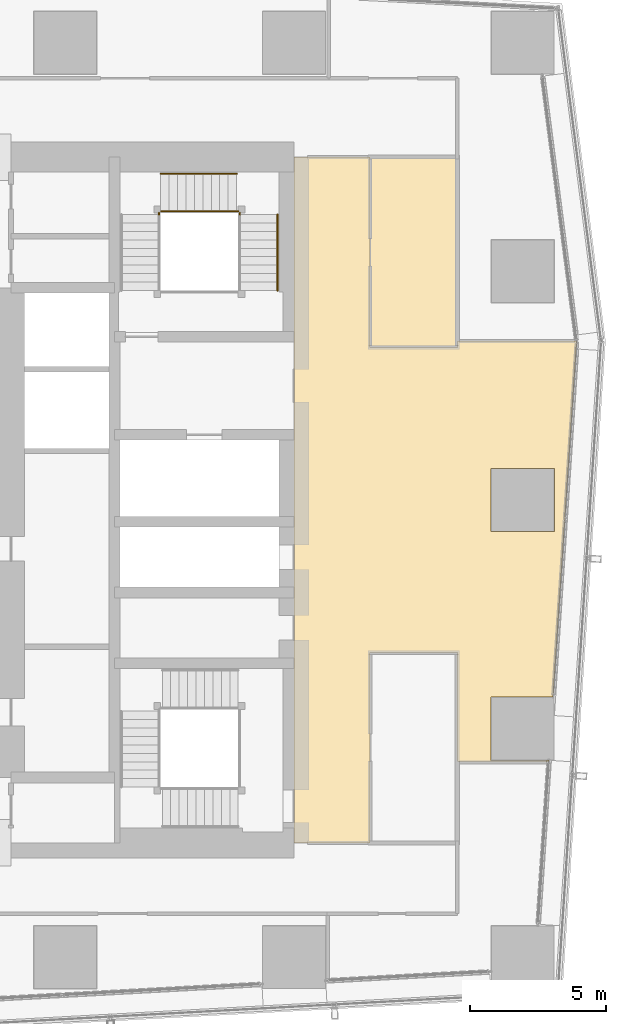
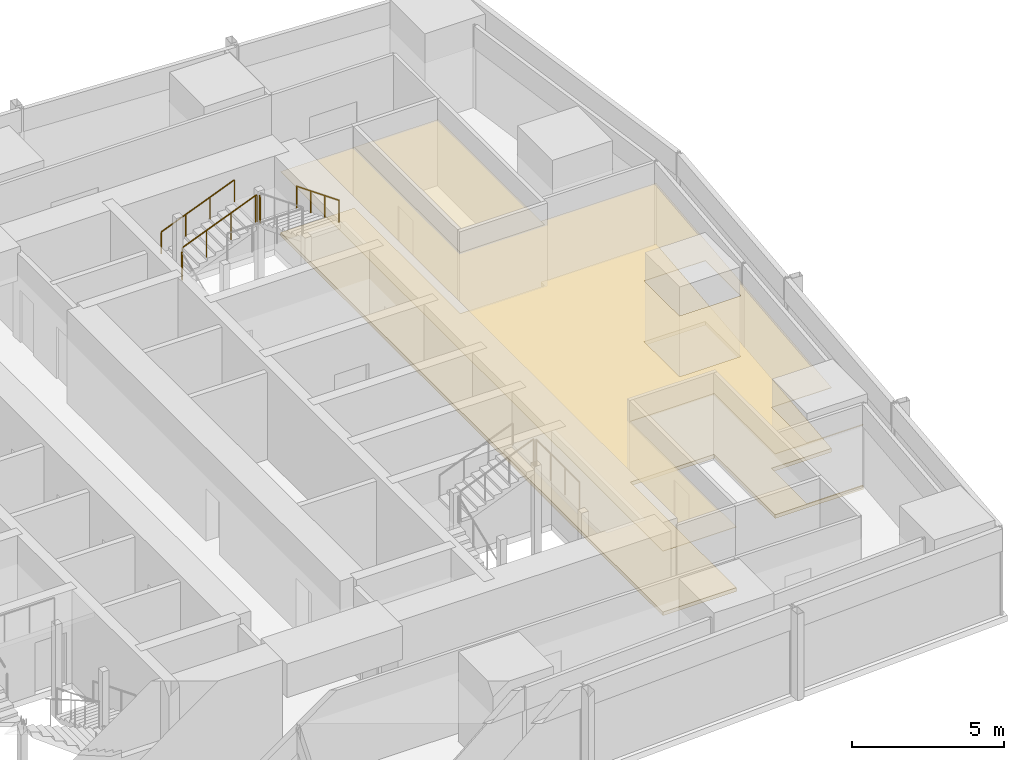
# One storey, part 31 of 32: 6 railings, 3 coverings.
"""IFC4 building model written with IfcOpenShell, lengths in metres."""

from ifc_helpers import new_model, si_unit, direction, frame, origin, origin_2d, place, context, subcontext, project, spatial, polyline, circle, outline, extrude, material, layer, layer_set, type_object, element, save


model = new_model("IFC4")

# Units and contexts
model_context = context("Model", 3, precision=1e-05, world=origin(), true_north=direction((0.0, 1.0)))
body_context = subcontext(model_context, "Body", "Model", "MODEL_VIEW")
ifc_project = project(units=[si_unit("LENGTHUNIT", "METRE"), si_unit("AREAUNIT", "SQUARE_METRE"), si_unit("VOLUMEUNIT", "CUBIC_METRE"), si_unit("PLANEANGLEUNIT", "RADIAN"), si_unit("MASSUNIT", "GRAM", prefix="KILO")], contexts=[model_context])

# Site, building, storey
site_placement = place(None, origin())
site = spatial("IfcSite", under=ifc_project, at=site_placement, CompositionType="ELEMENT")
building_placement = place(site_placement, origin())
building = spatial("IfcBuilding", under=site, at=building_placement, Name="Rekha Terrace Tower", CompositionType="ELEMENT")
storey_placement = place(building_placement, frame((0.0, 0.0, 250.10009765625)))
storey = spatial("IfcBuildingStorey", under=building, at=storey_placement, Name="L63", CompositionType="ELEMENT", Elevation=250.10009765625)

# Coverings
ifc_material_1 = material(Name="Mineral fibre tile in exposed grid", Category="finish")
ifc_layer_1 = layer(ifc_material_1, 0.02001953125)
ifc_layer_set_1 = layer_set([ifc_layer_1], Name="Mineral fibre tile in exposed grid")
covering_type_1 = type_object("IfcCoveringType", Name="CL1 600x1200 office grid ceiling", PredefinedType="CEILING", material=ifc_layer_set_1)
covering_1_placement = place(storey_placement, frame((0.0, 0.0, 2.579833984375)))
element("IfcCovering", 1, at=covering_1_placement, inside=storey, type_object=covering_type_1, Name="Ceiling L63-02", PredefinedType="CEILING", context=body_context, shape_type="SweptSolid", body=[
    extrude(outline(polyline([(59.9189453125, 26.364990234375), (59.922119140625, 26.405029296875), (60.35205078125, 32.889892578125), (60.787109375, 39.43896484375), (56.39990234375, 39.43896484375), (56.39990234375, 39.199951171875), (53.199951171875, 39.199951171875), (53.199951171875, 46.199951171875), (50.39990234375, 46.199951171875), (50.39990234375, 21.0), (53.199951171875, 21.0), (53.199951171875, 28.0), (56.39990234375, 28.0), (56.39990234375, 23.990966796875), (59.761962890625, 23.990966796875), (59.764892578125, 24.034912109375), (57.635009765625, 24.034912109375), (57.635009765625, 26.364990234375), (59.9189453125, 26.364990234375)]), holes=[polyline([(59.965087890625, 34.764892578125), (59.965087890625, 32.43505859375), (57.635009765625, 32.43505859375), (57.635009765625, 34.764892578125), (59.965087890625, 34.764892578125)])]), origin(), (0.0, 0.0, 1.0), 0.02001953125),
])
ifc_material_2 = material(Name="Fibre cement board", Category="finish")
ifc_layer_2 = layer(ifc_material_2, 0.014892578125)
ifc_layer_set_2 = layer_set([ifc_layer_2], Name="Fibre cement board")
covering_type_2 = type_object("IfcCoveringType", Name="CL2 moisture-resistant board ceiling", PredefinedType="CEILING", material=ifc_layer_set_2)
covering_2_placement = place(storey_placement, frame((0.0, 0.0, 2.5849609375)))
element("IfcCovering", 2, at=covering_2_placement, inside=storey, type_object=covering_type_2, Name="Ceiling L63-WCF", PredefinedType="CEILING", context=body_context, shape_type="SweptSolid", body=[
    extrude(outline(polyline([(56.39990234375, 46.199951171875), (53.199951171875, 46.199951171875), (53.199951171875, 39.199951171875), (56.39990234375, 39.199951171875), (56.39990234375, 46.199951171875)])), origin(), (0.0, 0.0, 1.0), 0.014892578125),
])

# Railings
ifc_material_3 = material(Name="Stainless steel balustrade", Category="steel")
railing_type_1 = type_object("IfcRailingType", Name="GR1 1100 stair guard", PredefinedType="GUARDRAIL", material=ifc_material_3)
railing_1_placement = place(storey_placement, frame((45.5, 44.2099609375, 1.375)))
element("IfcRailing", 3, at=railing_1_placement, inside=storey, type_object=railing_type_1, Name="Guard ST2 L63 flight 2", PredefinedType="GUARDRAIL", context=body_context, shape_type="SweptSolid", body=[
    extrude(circle(Radius=0.02392578125, at=origin_2d()), frame((0.0, 0.0, 1.076171875), z_axis=(0.927443287984, 0.0, 0.373963831907), x_axis=(0.0, 1.0, 0.0)), (0.0, 0.0, 1.0), 3.00830078125),
    extrude(circle(Radius=0.02099609375, at=origin_2d()), origin(), (0.0, 0.0, 1.0), 1.052001953125),
    extrude(circle(Radius=0.02099609375, at=origin_2d()), frame((0.929931640625, 0.0, 0.375)), (0.0, 0.0, 1.0), 1.052001953125),
    extrude(circle(Radius=0.02099609375, at=origin_2d()), frame((1.860107421875, 0.0, 0.75)), (0.0, 0.0, 1.0), 1.052001953125),
    extrude(circle(Radius=0.02099609375, at=origin_2d()), frame((2.7900390625, 0.0, 1.125)), (0.0, 0.0, 1.0), 1.052001953125),
])
railing_2_placement = place(storey_placement, frame((45.43994140625, 44.090087890625, 1.25)))
element("IfcRailing", 4, at=railing_2_placement, inside=storey, type_object=railing_type_1, Name="Guard ST2 L63 landing 1", PredefinedType="GUARDRAIL", context=body_context, shape_type="SweptSolid", body=[
    extrude(circle(Radius=0.02392578125, at=origin_2d()), frame((0.0, 0.0, 1.076171875), z_axis=(0.0, 1.0, 0.0), x_axis=(-1.0, 0.0, 0.0)), (0.0, 0.0, 1.0), 0.059814453125),
    extrude(circle(Radius=0.02099609375, at=origin_2d()), origin(), (0.0, 0.0, 1.0), 1.052001953125),
    extrude(circle(Radius=0.02099609375, at=origin_2d()), frame((0.0, 0.059814453125, 0.0)), (0.0, 0.0, 1.0), 1.052001953125),
])
railing_3_placement = place(storey_placement, frame((48.2900390625, 44.2099609375, 2.5)))
element("IfcRailing", 5, at=railing_3_placement, inside=storey, type_object=railing_type_1, Name="Guard ST2 L63 landing 2", PredefinedType="GUARDRAIL", context=body_context, shape_type="SweptSolid", body=[
    extrude(circle(Radius=0.02392578125, at=origin_2d()), frame((0.0, 0.0, 1.076171875), z_axis=(1.0, 0.0, 0.0), x_axis=(0.0, 1.0, 0.0)), (0.0, 0.0, 1.0), 0.06005859375),
    extrude(circle(Radius=0.02099609375, at=origin_2d()), origin(), (0.0, 0.0, 1.0), 1.052001953125),
    extrude(circle(Radius=0.02099609375, at=origin_2d()), frame((0.06005859375, 0.0, 0.0)), (0.0, 0.0, 1.0), 1.052001953125),
])
railing_4_placement = place(storey_placement, frame((48.409912109375, 44.090087890625, 2.5)))
element("IfcRailing", 6, at=railing_4_placement, inside=storey, type_object=railing_type_1, Name="Guard ST2 L63 landing 3", PredefinedType="GUARDRAIL", context=body_context, shape_type="SweptSolid", body=[
    extrude(circle(Radius=0.02392578125, at=origin_2d()), frame((0.0, 0.0, 1.076171875), z_axis=(0.0, 1.0, 0.0), x_axis=(-1.0, 0.0, 0.0)), (0.0, 0.0, 1.0), 0.059814453125),
    extrude(circle(Radius=0.02099609375, at=origin_2d()), origin(), (0.0, 0.0, 1.0), 1.052001953125),
    extrude(circle(Radius=0.02099609375, at=origin_2d()), frame((0.0, 0.059814453125, 0.0)), (0.0, 0.0, 1.0), 1.052001953125),
])
ifc_material_4 = material(Name="Stainless steel tube", Category="steel")
railing_type_2 = type_object("IfcRailingType", Name="HR1 900 stair handrail", PredefinedType="HANDRAIL", material=ifc_material_4)
railing_5_placement = place(storey_placement, frame((45.5, 45.590087890625, 1.375)))
element("IfcRailing", 7, at=railing_5_placement, inside=storey, type_object=railing_type_2, Name="Handrail ST2 L63 flight 2", PredefinedType="HANDRAIL", context=body_context, shape_type="SweptSolid", body=[
    extrude(circle(Radius=0.02392578125, at=origin_2d()), frame((0.0, 0.0, 0.8759765625), z_axis=(0.927443287984, 0.0, 0.373963831907), x_axis=(0.0, 1.0, 0.0)), (0.0, 0.0, 1.0), 3.00830078125),
    extrude(circle(Radius=0.02099609375, at=origin_2d()), origin(), (0.0, 0.0, 1.0), 0.851806640625),
    extrude(circle(Radius=0.02099609375, at=origin_2d()), frame((0.929931640625, 0.0, 0.375)), (0.0, 0.0, 1.0), 0.851806640625),
    extrude(circle(Radius=0.02099609375, at=origin_2d()), frame((1.860107421875, 0.0, 0.75)), (0.0, 0.0, 1.0), 0.851806640625),
    extrude(circle(Radius=0.02099609375, at=origin_2d()), frame((2.7900390625, 0.0, 1.125)), (0.0, 0.0, 1.0), 0.851806640625),
])
railing_6_placement = place(storey_placement, frame((49.7900390625, 44.090087890625, 2.625)))
element("IfcRailing", 8, at=railing_6_placement, inside=storey, type_object=railing_type_2, Name="Handrail ST2 L63 flight 3", PredefinedType="HANDRAIL", context=body_context, shape_type="SweptSolid", body=[
    extrude(circle(Radius=0.02392578125, at=origin_2d()), frame((0.0, 0.0, 0.8759765625), z_axis=(0.0, -0.927443287984, 0.373963831907), x_axis=(1.0, 0.0, 0.0)), (0.0, 0.0, 1.0), 3.00830078125),
    extrude(circle(Radius=0.02099609375, at=origin_2d()), origin(), (0.0, 0.0, 1.0), 0.851806640625),
    extrude(circle(Radius=0.02099609375, at=origin_2d()), frame((0.0, -0.929931640625, 0.375)), (0.0, 0.0, 1.0), 0.851806640625),
    extrude(circle(Radius=0.02099609375, at=origin_2d()), frame((0.0, -1.860107421875, 0.75)), (0.0, 0.0, 1.0), 0.851806640625),
    extrude(circle(Radius=0.02099609375, at=origin_2d()), frame((0.0, -2.7900390625, 1.125)), (0.0, 0.0, 1.0), 0.851806640625),
])

# Covering
ifc_material_5 = material(Name="Calcium sulphate panels on steel pedestals", Category="steel")
ifc_layer_3 = layer(ifc_material_5, 0.14990234375)
ifc_layer_set_3 = layer_set([ifc_layer_3], Name="Calcium sulphate panels on steel pedestals")
covering_type_3 = type_object("IfcCoveringType", Name="RF1 150 raised access floor", PredefinedType="FLOORING", material=ifc_layer_set_3)
covering_3_placement = place(storey_placement, origin())
element("IfcCovering", 9, at=covering_3_placement, inside=storey, type_object=covering_type_3, Name="Raised floor L63-02", PredefinedType="FLOORING", context=body_context, shape_type="SweptSolid", body=[
    extrude(outline(polyline([(59.9189453125, 26.364990234375), (59.922119140625, 26.405029296875), (60.35205078125, 32.889892578125), (60.787109375, 39.43896484375), (56.39990234375, 39.43896484375), (56.39990234375, 39.199951171875), (53.199951171875, 39.199951171875), (53.199951171875, 46.199951171875), (50.39990234375, 46.199951171875), (50.39990234375, 21.0), (53.199951171875, 21.0), (53.199951171875, 28.0), (56.39990234375, 28.0), (56.39990234375, 23.990966796875), (59.761962890625, 23.990966796875), (59.764892578125, 24.034912109375), (57.635009765625, 24.034912109375), (57.635009765625, 26.364990234375), (59.9189453125, 26.364990234375)]), holes=[polyline([(59.965087890625, 34.764892578125), (59.965087890625, 32.43505859375), (57.635009765625, 32.43505859375), (57.635009765625, 34.764892578125), (59.965087890625, 34.764892578125)])]), origin(), (0.0, 0.0, 1.0), 0.14990234375),
])

save(model, "model.ifc")
